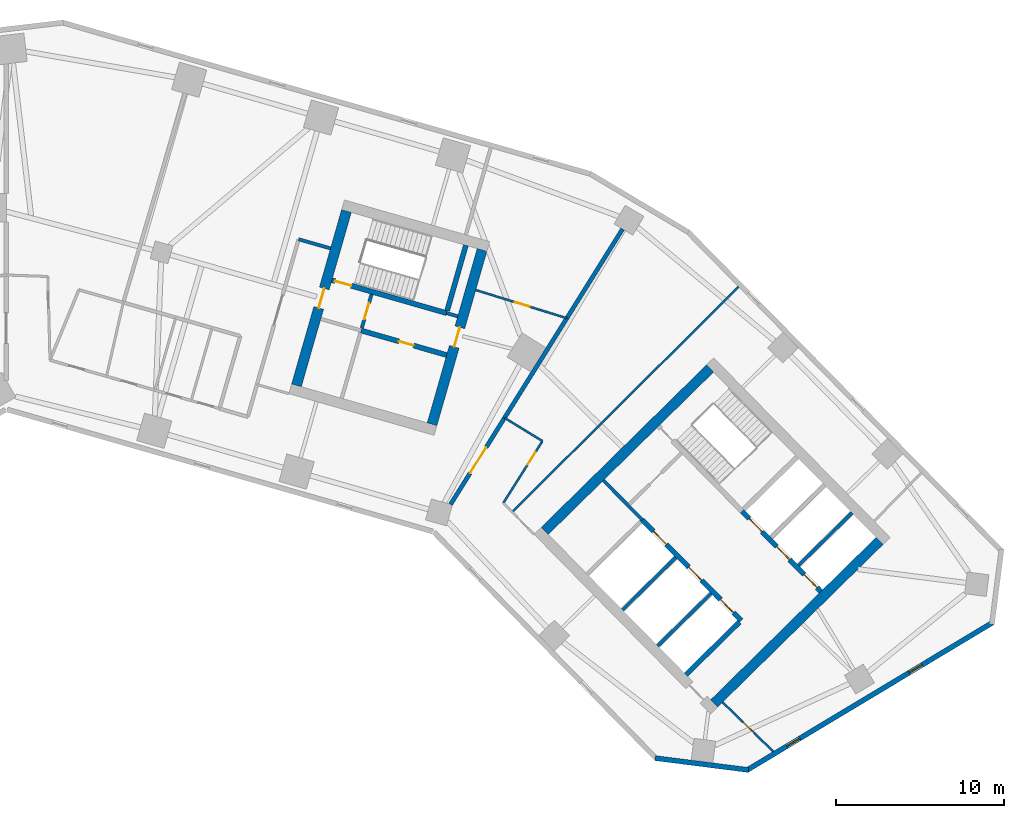
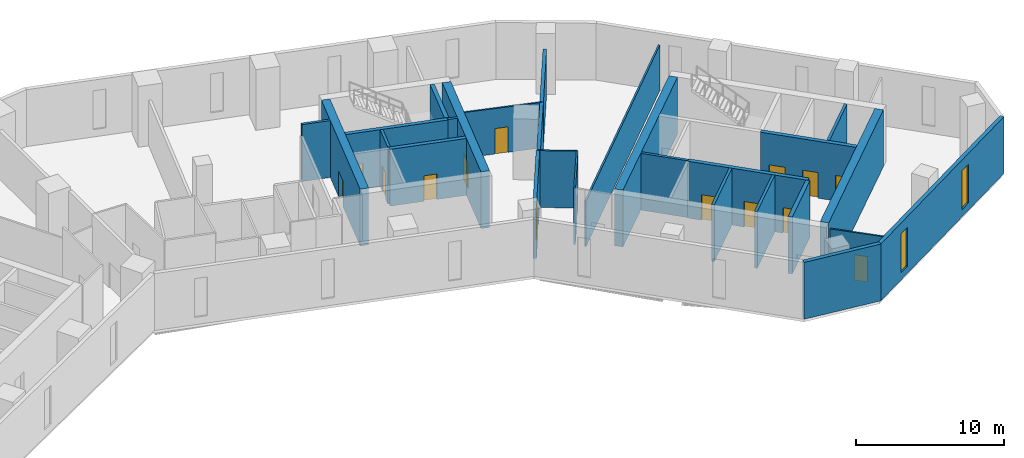
# One storey, part 6 of 10: 27 walls, 15 doors, 2 windows, 17 openings.
"""IFC4 building model written with IfcOpenShell, lengths in metres."""

from ifc_helpers import new_model, si_unit, direction, frame, frame_2d, origin, place, context, subcontext, project, spatial, rectangle, extrude, material, layer, layer_set, type_object, element, fill, save


model = new_model("IFC4")

# Units and contexts
model_context = context("Model", 3, precision=1e-05, world=origin(), true_north=direction((0.0, 1.0)))
body_context = subcontext(model_context, "Body", "Model", "MODEL_VIEW")
ifc_project = project(units=[si_unit("LENGTHUNIT", "METRE"), si_unit("AREAUNIT", "SQUARE_METRE"), si_unit("VOLUMEUNIT", "CUBIC_METRE"), si_unit("PLANEANGLEUNIT", "RADIAN"), si_unit("MASSUNIT", "GRAM", prefix="KILO")], contexts=[model_context])

# Site, building, storey
site_placement = place(None, origin())
site = spatial("IfcSite", under=ifc_project, at=site_placement, CompositionType="ELEMENT")
building_placement = place(site_placement, origin())
building = spatial("IfcBuilding", under=site, at=building_placement, Name="Binnacle Exchange Tower", CompositionType="ELEMENT")
storey_placement = place(building_placement, frame((0.0, 0.0, 81.5)))
storey = spatial("IfcBuildingStorey", under=building, at=storey_placement, Name="L16", CompositionType="ELEMENT", Elevation=81.5)

# Wall, openings, doors
ifc_material_1 = material(Name="Concrete C70/85", Category="concrete")
ifc_layer_1 = layer(ifc_material_1, 0.300048828125)
ifc_layer_set_1 = layer_set([ifc_layer_1], Name="Core wall - front 300")
wall_type_1 = type_object("IfcWallType", Name="Core wall - front 300", PredefinedType="SOLIDWALL", material=ifc_layer_set_1)
wall_1_placement = place(storey_placement, frame((37.8740234375, 41.41552734375, 0.0), z_axis=(0.0, 0.0, 1.0), x_axis=(0.700918271237, -0.71324159795, 0.0)))
wall_1 = element("IfcWall", 1, at=wall_1_placement, inside=storey, type_object=wall_type_1, Name="Core wall CRWB3", PredefinedType="SOLIDWALL", context=body_context, shape_type="SweptSolid", body=[
    extrude(rectangle(XDim=8.39990234375, YDim=0.300048828125, at=frame_2d((4.199951171875, 0.0))), origin(), (0.0, 0.0, 1.0), 4.679931640625),
])
opening_1_placement = place(wall_1_placement, frame((0.949951171875, 0.0, 0.0)))
opening_1 = element("IfcOpeningElement", 2, at=opening_1_placement, cuts=wall_1, Name="Opening LD15", PredefinedType="OPENING", context=body_context, shape_type="SweptSolid", body=[
    extrude(rectangle(XDim=1.10009765625, YDim=2.10009765625, at=frame_2d((0.550048828125, 1.050048828125))), frame((0.0, 0.159912109375, 0.0), z_axis=(0.0, -1.0, 0.0), x_axis=(1.0, 0.0, 0.0)), (0.0, 0.0, 1.0), 0.320068359375),
])
opening_2_placement = place(wall_1_placement, frame((3.949951171875, 0.0, 0.0)))
opening_2 = element("IfcOpeningElement", 3, at=opening_2_placement, cuts=wall_1, Name="Opening LD16", PredefinedType="OPENING", context=body_context, shape_type="SweptSolid", body=[
    extrude(rectangle(XDim=1.10009765625, YDim=2.10009765625, at=frame_2d((0.550048828125, 1.050048828125))), frame((0.0, 0.159912109375, 0.0), z_axis=(0.0, -1.0, 0.0), x_axis=(1.0, 0.0, 0.0)), (0.0, 0.0, 1.0), 0.320068359375),
])
opening_3_placement = place(wall_1_placement, frame((6.64990234375, 0.0, 0.0)))
opening_3 = element("IfcOpeningElement", 4, at=opening_3_placement, cuts=wall_1, Name="Opening LD4", PredefinedType="OPENING", context=body_context, shape_type="SweptSolid", body=[
    extrude(rectangle(XDim=1.10009765625, YDim=2.10009765625, at=frame_2d((0.550048828125, 1.050048828125))), frame((0.0, 0.159912109375, 0.0), z_axis=(0.0, -1.0, 0.0), x_axis=(1.0, 0.0, 0.0)), (0.0, 0.0, 1.0), 0.320068359375),
])
ifc_material_2 = material(Name="Steel door leaf", Category="steel")
door_type_1 = type_object("IfcDoorType", Name="Fire door - lift landing 1100", OperationType="NOTDEFINED", PredefinedType="DOOR", material=ifc_material_2)
door_1_placement = place(opening_1_placement, origin())
door_1 = element("IfcDoor", 5, at=door_1_placement, inside=storey, type_object=door_type_1, Name="Landing door LD15 L16", OperationType="DOUBLE_DOOR_SLIDING", OverallHeight=2.10009765625, OverallWidth=1.10009765625, PredefinedType="DOOR", context=body_context, shape_type="SweptSolid", body=[
    extrude(rectangle(XDim=1.10009765625, YDim=2.10009765625, at=frame_2d((0.550048828125, 1.050048828125))), frame((0.0, 0.02490234375, 0.0), z_axis=(0.0, -1.0, 0.0), x_axis=(1.0, 0.0, 0.0)), (0.0, 0.0, 1.0), 0.050048828125),
])
fill(opening_1, door_1)
door_2_placement = place(opening_2_placement, origin())
door_2 = element("IfcDoor", 6, at=door_2_placement, inside=storey, type_object=door_type_1, Name="Landing door LD16 L16", OperationType="DOUBLE_DOOR_SLIDING", OverallHeight=2.10009765625, OverallWidth=1.10009765625, PredefinedType="DOOR", context=body_context, shape_type="SweptSolid", body=[
    extrude(rectangle(XDim=1.10009765625, YDim=2.10009765625, at=frame_2d((0.550048828125, 1.050048828125))), frame((0.0, 0.02490234375, 0.0), z_axis=(0.0, -1.0, 0.0), x_axis=(1.0, 0.0, 0.0)), (0.0, 0.0, 1.0), 0.050048828125),
])
fill(opening_2, door_2)
door_3_placement = place(opening_3_placement, origin())
door_3 = element("IfcDoor", 7, at=door_3_placement, inside=storey, type_object=door_type_1, Name="Landing door LD4 L16", OperationType="DOUBLE_DOOR_SLIDING", OverallHeight=2.10009765625, OverallWidth=1.10009765625, PredefinedType="DOOR", context=body_context, shape_type="SweptSolid", body=[
    extrude(rectangle(XDim=1.10009765625, YDim=2.10009765625, at=frame_2d((0.550048828125, 1.050048828125))), frame((0.0, 0.02490234375, 0.0), z_axis=(0.0, -1.0, 0.0), x_axis=(1.0, 0.0, 0.0)), (0.0, 0.0, 1.0), 0.050048828125),
])
fill(opening_3, door_3)

wall_2_placement = place(storey_placement, frame((43.818603515625, 41.92919921875, 0.0), z_axis=(0.0, 0.0, 1.0), x_axis=(0.700921619155, -0.713238307862, 0.0)))
wall_2 = element("IfcWall", 8, at=wall_2_placement, inside=storey, type_object=wall_type_1, Name="Core wall CRWB5", PredefinedType="SOLIDWALL", context=body_context, shape_type="SweptSolid", body=[
    extrude(rectangle(XDim=6.69970703125, YDim=0.300048828125, at=frame_2d((3.349853515625, 0.0))), origin(), (0.0, 0.0, 1.0), 4.679931640625),
])
opening_4_placement = place(wall_2_placement, frame((0.614990234375, 0.0, 0.0)))
opening_4 = element("IfcOpeningElement", 9, at=opening_4_placement, cuts=wall_2, Name="Opening LD1", PredefinedType="OPENING", context=body_context, shape_type="SweptSolid", body=[
    extrude(rectangle(XDim=1.10009765625, YDim=2.10009765625, at=frame_2d((0.550048828125, 1.050048828125))), frame((0.0, 0.159912109375, 0.0), z_axis=(0.0, -1.0, 0.0), x_axis=(1.0, 0.0, 0.0)), (0.0, 0.0, 1.0), 0.320068359375),
])
opening_5_placement = place(wall_2_placement, frame((2.945068359375, 0.0, 0.0)))
opening_5 = element("IfcOpeningElement", 10, at=opening_5_placement, cuts=wall_2, Name="Opening LD2", PredefinedType="OPENING", context=body_context, shape_type="SweptSolid", body=[
    extrude(rectangle(XDim=1.10009765625, YDim=2.10009765625, at=frame_2d((0.550048828125, 1.050048828125))), frame((0.0, 0.159912109375, 0.0), z_axis=(0.0, -1.0, 0.0), x_axis=(1.0, 0.0, 0.0)), (0.0, 0.0, 1.0), 0.320068359375),
])
opening_6_placement = place(wall_2_placement, frame((5.280029296875, 0.0, 0.0)))
opening_6 = element("IfcOpeningElement", 11, at=opening_6_placement, cuts=wall_2, Name="Opening LD3", PredefinedType="OPENING", context=body_context, shape_type="SweptSolid", body=[
    extrude(rectangle(XDim=1.10009765625, YDim=2.10009765625, at=frame_2d((0.550048828125, 1.050048828125))), frame((0.0, 0.159912109375, 0.0), z_axis=(0.0, -1.0, 0.0), x_axis=(1.0, 0.0, 0.0)), (0.0, 0.0, 1.0), 0.320068359375),
])
door_4_placement = place(opening_4_placement, origin())
door_4 = element("IfcDoor", 12, at=door_4_placement, inside=storey, type_object=door_type_1, Name="Landing door LD1 L16", OperationType="DOUBLE_DOOR_SLIDING", OverallHeight=2.10009765625, OverallWidth=1.10009765625, PredefinedType="DOOR", context=body_context, shape_type="SweptSolid", body=[
    extrude(rectangle(XDim=1.10009765625, YDim=2.10009765625, at=frame_2d((0.550048828125, 1.050048828125))), frame((0.0, 0.02490234375, 0.0), z_axis=(0.0, -1.0, 0.0), x_axis=(1.0, 0.0, 0.0)), (0.0, 0.0, 1.0), 0.050048828125),
])
fill(opening_4, door_4)
door_5_placement = place(opening_5_placement, origin())
door_5 = element("IfcDoor", 13, at=door_5_placement, inside=storey, type_object=door_type_1, Name="Landing door LD2 L16", OperationType="DOUBLE_DOOR_SLIDING", OverallHeight=2.10009765625, OverallWidth=1.10009765625, PredefinedType="DOOR", context=body_context, shape_type="SweptSolid", body=[
    extrude(rectangle(XDim=1.10009765625, YDim=2.10009765625, at=frame_2d((0.550048828125, 1.050048828125))), frame((0.0, 0.02490234375, 0.0), z_axis=(0.0, -1.0, 0.0), x_axis=(1.0, 0.0, 0.0)), (0.0, 0.0, 1.0), 0.050048828125),
])
fill(opening_5, door_5)
door_6_placement = place(opening_6_placement, origin())
door_6 = element("IfcDoor", 14, at=door_6_placement, inside=storey, type_object=door_type_1, Name="Landing door LD3 L16", OperationType="DOUBLE_DOOR_SLIDING", OverallHeight=2.10009765625, OverallWidth=1.10009765625, PredefinedType="DOOR", context=body_context, shape_type="SweptSolid", body=[
    extrude(rectangle(XDim=1.10009765625, YDim=2.10009765625, at=frame_2d((0.550048828125, 1.050048828125))), frame((0.0, 0.02490234375, 0.0), z_axis=(0.0, -1.0, 0.0), x_axis=(1.0, 0.0, 0.0)), (0.0, 0.0, 1.0), 0.050048828125),
])
fill(opening_6, door_6)

# Wall
wall_3_placement = place(storey_placement, frame((40.480712890625, 32.199951171875, 0.0), z_axis=(0.0, 0.0, 1.0), x_axis=(0.713251741427, 0.700907949271, 0.0)))
element("IfcWall", 15, at=wall_3_placement, inside=storey, type_object=wall_type_1, Name="Core wall CRWB14", PredefinedType="SOLIDWALL", context=body_context, shape_type="SweptSolid", body=[
    extrude(rectangle(XDim=4.4501953125, YDim=0.300048828125, at=frame_2d((2.22509765625, 0.0))), origin(), (0.0, 0.0, 1.0), 4.679931640625),
])

# Wall, opening, door
wall_4_placement = place(storey_placement, frame((21.130859375, 52.6923828125, 0.0), z_axis=(0.0, 0.0, 1.0), x_axis=(0.961271492568, -0.275603188616, 0.0)))
wall_4 = element("IfcWall", 16, at=wall_4_placement, inside=storey, type_object=wall_type_1, Name="Core wall CRWD3", PredefinedType="SOLIDWALL", context=body_context, shape_type="SweptSolid", body=[
    extrude(rectangle(XDim=5.300048828125, YDim=0.300048828125, at=frame_2d((2.64990234375, 0.0))), origin(), (0.0, 0.0, 1.0), 4.679931640625),
])
opening_7_placement = place(wall_4_placement, frame((2.35009765625, 0.0, 0.0)))
opening_7 = element("IfcOpeningElement", 17, at=opening_7_placement, cuts=wall_4, Name="Opening DD10", PredefinedType="OPENING", context=body_context, shape_type="SweptSolid", body=[
    extrude(rectangle(XDim=0.89990234375, YDim=2.10009765625, at=frame_2d((0.449951171875, 1.050048828125))), frame((0.0, 0.159912109375, 0.0), z_axis=(0.0, -1.0, 0.0), x_axis=(1.0, 0.0, 0.0)), (0.0, 0.0, 1.0), 0.320068359375),
])
door_type_2 = type_object("IfcDoorType", Name="Fire door 900", OperationType="NOTDEFINED", PredefinedType="DOOR", material=ifc_material_2)
door_7_placement = place(opening_7_placement, frame((0.89990234375, 0.0, 0.0), z_axis=(0.0, 0.0, 1.0), x_axis=(-1.0, 0.0, 0.0)))
door_7 = element("IfcDoor", 18, at=door_7_placement, inside=storey, type_object=door_type_2, Name="Core room door TELECOM RISER ROOM", OperationType="SINGLE_SWING_LEFT", OverallHeight=2.10009765625, OverallWidth=0.89990234375, PredefinedType="DOOR", context=body_context, shape_type="SweptSolid", body=[
    extrude(rectangle(XDim=0.89990234375, YDim=2.10009765625, at=frame_2d((0.449951171875, 1.050048828125))), frame((0.0, 0.02490234375, 0.0), z_axis=(0.0, -1.0, 0.0), x_axis=(1.0, 0.0, 0.0)), (0.0, 0.0, 1.0), 0.050048828125),
])
fill(opening_7, door_7)

# Walls
ifc_layer_2 = layer(ifc_material_1, 0.60009765625)
ifc_layer_set_2 = layer_set([ifc_layer_2], Name="Core wall - outer 600")
wall_type_2 = type_object("IfcWallType", Name="Core wall - outer 600", PredefinedType="SOLIDWALL", material=ifc_layer_set_2)
for number, where, z_axis, x_axis, name in (
    (19, (32.06982421875, 40.759033203125, 0.0), (0.0, 0.0, 1.0), (0.713245344712, 0.70091445858, 0.0), "Core wall CRWB7"),
    (20, (42.1630859375, 30.48828125, 0.0), (0.0, 0.0, 1.0), (0.713245344712, 0.70091445858, 0.0), "Core wall CRWB16"),
):
    element("IfcWall", number, at=place(storey_placement, frame(where, z_axis=z_axis, x_axis=x_axis)), inside=storey, type_object=wall_type_2, Name=name, PredefinedType="SOLIDWALL", context=body_context, shape_type="SweptSolid", body=[
        extrude(rectangle(XDim=13.800048828125, YDim=0.60009765625, at=frame_2d((6.89990234375, 0.0))), origin(), (0.0, 0.0, 1.0), 4.679931640625),
    ])

# Wall, opening, door
wall_5_placement = place(storey_placement, frame((17.28173828125, 49.427001953125, 0.0), z_axis=(0.0, 0.0, 1.0), x_axis=(0.275631631629, 0.961263337304, 0.0)))
wall_5 = element("IfcWall", 21, at=wall_5_placement, inside=storey, type_object=wall_type_2, Name="Core wall CRWD7", PredefinedType="SOLIDWALL", context=body_context, shape_type="SweptSolid", body=[
    extrude(rectangle(XDim=10.800048828125, YDim=0.60009765625, at=frame_2d((5.39990234375, 0.0))), origin(), (0.0, 0.0, 1.0), 4.679931640625),
])
opening_8_placement = place(wall_5_placement, frame((4.800048828125, 0.0, 0.0)))
opening_8 = element("IfcOpeningElement", 22, at=opening_8_placement, cuts=wall_5, Name="Opening DD5", PredefinedType="OPENING", context=body_context, shape_type="SweptSolid", body=[
    extrude(rectangle(XDim=1.199951171875, YDim=2.10009765625, at=frame_2d((0.60009765625, 1.050048828125))), frame((0.0, 0.31005859375, 0.0), z_axis=(0.0, -1.0, 0.0), x_axis=(1.0, 0.0, 0.0)), (0.0, 0.0, 1.0), 0.6201171875),
])
door_type_3 = type_object("IfcDoorType", Name="Fire door 1200", OperationType="NOTDEFINED", PredefinedType="DOOR", material=ifc_material_2)
door_8_placement = place(opening_8_placement, origin())
door_8 = element("IfcDoor", 23, at=door_8_placement, inside=storey, type_object=door_type_3, Name="Vestibule exit door VEST-W", OperationType="SINGLE_SWING_RIGHT", OverallHeight=2.10009765625, OverallWidth=1.199951171875, PredefinedType="DOOR", context=body_context, shape_type="SweptSolid", body=[
    extrude(rectangle(XDim=1.199951171875, YDim=2.10009765625, at=frame_2d((0.60009765625, 1.050048828125))), frame((0.0, 0.02490234375, 0.0), z_axis=(0.0, -1.0, 0.0), x_axis=(1.0, 0.0, 0.0)), (0.0, 0.0, 1.0), 0.050048828125),
])
fill(opening_8, door_8)

wall_6_placement = place(storey_placement, frame((25.356201171875, 47.111572265625, 0.0), z_axis=(0.0, 0.0, 1.0), x_axis=(0.275631631629, 0.961263337304, 0.0)))
wall_6 = element("IfcWall", 24, at=wall_6_placement, inside=storey, type_object=wall_type_2, Name="Core wall CRWD12", PredefinedType="SOLIDWALL", context=body_context, shape_type="SweptSolid", body=[
    extrude(rectangle(XDim=10.800048828125, YDim=0.60009765625, at=frame_2d((5.39990234375, 0.0))), origin(), (0.0, 0.0, 1.0), 4.679931640625),
])
opening_9_placement = place(wall_6_placement, frame((4.800048828125, 0.0, 0.0)))
opening_9 = element("IfcOpeningElement", 25, at=opening_9_placement, cuts=wall_6, Name="Opening DD6", PredefinedType="OPENING", context=body_context, shape_type="SweptSolid", body=[
    extrude(rectangle(XDim=1.199951171875, YDim=2.10009765625, at=frame_2d((0.60009765625, 1.050048828125))), frame((0.0, 0.31005859375, 0.0), z_axis=(0.0, -1.0, 0.0), x_axis=(1.0, 0.0, 0.0)), (0.0, 0.0, 1.0), 0.6201171875),
])
door_9_placement = place(opening_9_placement, frame((1.199951171875, 0.0, 0.0), z_axis=(0.0, 0.0, 1.0), x_axis=(-1.0, 0.0, 0.0)))
door_9 = element("IfcDoor", 26, at=door_9_placement, inside=storey, type_object=door_type_3, Name="Core passage exit door", OperationType="SINGLE_SWING_LEFT", OverallHeight=2.10009765625, OverallWidth=1.199951171875, PredefinedType="DOOR", context=body_context, shape_type="SweptSolid", body=[
    extrude(rectangle(XDim=1.199951171875, YDim=2.10009765625, at=frame_2d((0.60009765625, 1.050048828125))), frame((0.0, 0.02490234375, 0.0), z_axis=(0.0, -1.0, 0.0), x_axis=(1.0, 0.0, 0.0)), (0.0, 0.0, 1.0), 0.050048828125),
])
fill(opening_9, door_9)

ifc_layer_3 = layer(ifc_material_1, 0.300048828125)
ifc_layer_set_3 = layer_set([ifc_layer_3], Name="Core wall - stair 300")
wall_type_3 = type_object("IfcWallType", Name="Core wall - stair 300", PredefinedType="SOLIDWALL", material=ifc_layer_set_3)
wall_7_placement = place(storey_placement, frame((19.38916015625, 55.688720703125, 0.0), z_axis=(0.0, 0.0, 1.0), x_axis=(0.961261397636, -0.275638396117, 0.0)))
wall_7 = element("IfcWall", 27, at=wall_7_placement, inside=storey, type_object=wall_type_3, Name="Core wall CRWD4", PredefinedType="SOLIDWALL", context=body_context, shape_type="SweptSolid", body=[
    extrude(rectangle(XDim=7.10009765625, YDim=0.300048828125, at=frame_2d((3.550048828125, 0.0))), origin(), (0.0, 0.0, 1.0), 4.679931640625),
])
opening_10_placement = place(wall_7_placement, frame((0.199951171875, 0.0, 0.0)))
opening_10 = element("IfcOpeningElement", 28, at=opening_10_placement, cuts=wall_7, Name="Opening DD1", PredefinedType="OPENING", context=body_context, shape_type="SweptSolid", body=[
    extrude(rectangle(XDim=1.0, YDim=2.10009765625, at=frame_2d((0.5, 1.050048828125))), frame((0.0, 0.159912109375, 0.0), z_axis=(0.0, -1.0, 0.0), x_axis=(1.0, 0.0, 0.0)), (0.0, 0.0, 1.0), 0.320068359375),
])
door_type_4 = type_object("IfcDoorType", Name="Fire door 1000", OperationType="NOTDEFINED", PredefinedType="DOOR", material=ifc_material_2)
door_10_placement = place(opening_10_placement, origin())
door_10 = element("IfcDoor", 29, at=door_10_placement, inside=storey, type_object=door_type_4, Name="Stair door ST-D1", OperationType="SINGLE_SWING_LEFT", OverallHeight=2.10009765625, OverallWidth=1.0, PredefinedType="DOOR", context=body_context, shape_type="SweptSolid", body=[
    extrude(rectangle(XDim=1.0, YDim=2.10009765625, at=frame_2d((0.5, 1.050048828125))), frame((0.0, 0.02490234375, 0.0), z_axis=(0.0, -1.0, 0.0), x_axis=(1.0, 0.0, 0.0)), (0.0, 0.0, 1.0), 0.050048828125),
])
fill(opening_10, door_10)

# Walls
wall_8_placement = place(storey_placement, frame((26.255615234375, 53.875732421875, 0.0), z_axis=(0.0, 0.0, 1.0), x_axis=(0.275612739511, 0.961268754209, 0.0)))
element("IfcWall", 30, at=wall_8_placement, inside=storey, type_object=wall_type_3, Name="Core wall CRWD11", PredefinedType="SOLIDWALL", context=body_context, shape_type="SweptSolid", body=[
    extrude(rectangle(XDim=4.0498046875, YDim=0.300048828125, at=frame_2d((2.02490234375, 0.0))), origin(), (0.0, 0.0, 1.0), 4.679931640625),
])
ifc_material_3 = material(Name="Bronze aluminium cladding", Category="aluminium")
ifc_layer_4 = layer(ifc_material_3, 0.300048828125)
ifc_layer_set_4 = layer_set([ifc_layer_4], Name="External wall - spandrel 300")
wall_type_4 = type_object("IfcWallType", Name="External wall - spandrel 300", PredefinedType="STANDARD", material=ifc_layer_set_4)
wall_9_placement = place(storey_placement, frame((44.19580078125, 26.517822265625, 0.0), z_axis=(0.0, 0.0, 1.0), x_axis=(-0.992001881269, 0.126223086474, 0.0)))
element("IfcWall", 31, at=wall_9_placement, inside=storey, type_object=wall_type_4, Name="External wall EW-F10 L16", PredefinedType="STANDARD", context=body_context, shape_type="SweptSolid", body=[
    extrude(rectangle(XDim=5.6015625, YDim=0.300048828125, at=frame_2d((2.80078125, 0.0))), origin(), (0.0, 0.0, 1.0), 4.679931640625),
])

# Wall, openings, windows
wall_10_placement = place(storey_placement, frame((58.7783203125, 35.317626953125, 0.0), z_axis=(0.0, 0.0, 1.0), x_axis=(-0.857168206138, -0.515036568009, 0.0)))
wall_10 = element("IfcWall", 32, at=wall_10_placement, inside=storey, type_object=wall_type_4, Name="External wall EW-F11 L16", PredefinedType="STANDARD", context=body_context, shape_type="SweptSolid", body=[
    extrude(rectangle(XDim=17.124755859375, YDim=0.300048828125, at=frame_2d((8.5625, 0.0))), origin(), (0.0, 0.0, 1.0), 4.679931640625),
])
opening_11_placement = place(wall_10_placement, frame((13.435302734375, 0.0, 0.60009765625)))
opening_11 = element("IfcOpeningElement", 33, at=opening_11_placement, cuts=wall_10, Name="Opening WS1", PredefinedType="OPENING", context=body_context, shape_type="SweptSolid", body=[
    extrude(rectangle(XDim=0.89990234375, YDim=3.199951171875, at=frame_2d((0.449951171875, 1.60009765625))), frame((0.0, 0.159912109375, 0.0), z_axis=(0.0, -1.0, 0.0), x_axis=(1.0, 0.0, 0.0)), (0.0, 0.0, 1.0), 0.320068359375),
])
opening_12_placement = place(wall_10_placement, frame((4.935302734375, 0.0, 0.60009765625)))
opening_12 = element("IfcOpeningElement", 34, at=opening_12_placement, cuts=wall_10, Name="Opening WS1", PredefinedType="OPENING", context=body_context, shape_type="SweptSolid", body=[
    extrude(rectangle(XDim=0.89990234375, YDim=3.199951171875, at=frame_2d((0.449951171875, 1.60009765625))), frame((0.0, 0.159912109375, 0.0), z_axis=(0.0, -1.0, 0.0), x_axis=(1.0, 0.0, 0.0)), (0.0, 0.0, 1.0), 0.320068359375),
])
ifc_material_4 = material(Name="Bronze anodised aluminium frame", Category="aluminium")
window_type = type_object("IfcWindowType", Name="WS1 WINDOW 900x3200", PartitioningType="SINGLE_PANEL", PredefinedType="WINDOW", material=ifc_material_4)
window_1_placement = place(opening_11_placement, origin())
window_1 = element("IfcWindow", 35, at=window_1_placement, inside=storey, type_object=window_type, Name="Window WS1 L16", OverallHeight=3.199951171875, OverallWidth=0.89990234375, PartitioningType="SINGLE_PANEL", PredefinedType="WINDOW", context=body_context, shape_type="SweptSolid", body=[
    extrude(rectangle(XDim=0.89990234375, YDim=3.199951171875, at=frame_2d((0.449951171875, 1.60009765625))), frame((0.0, 0.030029296875, 0.0), z_axis=(0.0, -1.0, 0.0), x_axis=(1.0, 0.0, 0.0)), (0.0, 0.0, 1.0), 0.06005859375),
])
fill(opening_11, window_1)
window_2_placement = place(opening_12_placement, origin())
window_2 = element("IfcWindow", 36, at=window_2_placement, inside=storey, type_object=window_type, Name="Window WS1 L16", OverallHeight=3.199951171875, OverallWidth=0.89990234375, PartitioningType="SINGLE_PANEL", PredefinedType="WINDOW", context=body_context, shape_type="SweptSolid", body=[
    extrude(rectangle(XDim=0.89990234375, YDim=3.199951171875, at=frame_2d((0.449951171875, 1.60009765625))), frame((0.0, 0.030029296875, 0.0), z_axis=(0.0, -1.0, 0.0), x_axis=(1.0, 0.0, 0.0)), (0.0, 0.0, 1.0), 0.06005859375),
])
fill(opening_12, window_2)

# Wall
ifc_material_5 = material(Name="Masonry block wall", Category="masonry")
ifc_layer_5 = layer(ifc_material_5, 0.199951171875)
ifc_layer_set_5 = layer_set([ifc_layer_5], Name="Fire wall - block 200")
wall_type_5 = type_object("IfcWallType", Name="Fire wall - block 200", PredefinedType="PARTITIONING", material=ifc_layer_set_5)
wall_11_placement = place(storey_placement, frame((17.408935546875, 58.12890625, 0.0), z_axis=(0.0, 0.0, 1.0), x_axis=(0.961253165474, -0.275667103345, 0.0)))
element("IfcWall", 37, at=wall_11_placement, inside=storey, type_object=wall_type_5, Name="Partition W33", PredefinedType="PARTITIONING", context=body_context, shape_type="SweptSolid", body=[
    extrude(rectangle(XDim=1.976806640625, YDim=0.199951171875, at=frame_2d((0.98828125, 0.0))), origin(), (0.0, 0.0, 1.0), 4.679931640625),
])

# Wall, opening, door
ifc_material_6 = material(Name="Concrete fire wall C30/37", Category="concrete")
ifc_layer_6 = layer(ifc_material_6, 0.25)
ifc_layer_set_6 = layer_set([ifc_layer_6], Name="Fire wall - compartment 250")
wall_type_6 = type_object("IfcWallType", Name="Fire wall - compartment 250", PredefinedType="PARTITIONING", material=ifc_layer_set_6)
wall_12_placement = place(storey_placement, frame((26.4560546875, 42.337890625, 0.0), z_axis=(0.0, 0.0, 1.0), x_axis=(0.52980027265, 0.848122438743, 0.0)))
wall_12 = element("IfcWall", 38, at=wall_12_placement, inside=storey, type_object=wall_type_6, Name="Fire Wall W34", PredefinedType="PARTITIONING", context=body_context, shape_type="SweptSolid", body=[
    extrude(rectangle(XDim=6.075927734375, YDim=0.25, at=frame_2d((3.0380859375, 0.0))), origin(), (0.0, 0.0, 1.0), 4.679931640625),
])
opening_13_placement = place(wall_12_placement, frame((2.199951171875, 0.0, 0.0)))
opening_13 = element("IfcOpeningElement", 39, at=opening_13_placement, cuts=wall_12, Name="Opening DL16-16", PredefinedType="OPENING", context=body_context, shape_type="SweptSolid", body=[
    extrude(rectangle(XDim=1.800048828125, YDim=2.10009765625, at=frame_2d((0.89990234375, 1.050048828125))), frame((0.0, 0.135009765625, 0.0), z_axis=(0.0, -1.0, 0.0), x_axis=(1.0, 0.0, 0.0)), (0.0, 0.0, 1.0), 0.27001953125),
])
door_type_5 = type_object("IfcDoorType", Name="Fire door 1800", OperationType="NOTDEFINED", PredefinedType="DOOR", material=ifc_material_2)
door_11_placement = place(opening_13_placement, origin())
door_11 = element("IfcDoor", 40, at=door_11_placement, inside=storey, type_object=door_type_5, Name="Door DL16-16", OperationType="DOUBLE_DOOR_SINGLE_SWING", OverallHeight=2.10009765625, OverallWidth=1.800048828125, PredefinedType="DOOR", context=body_context, shape_type="SweptSolid", body=[
    extrude(rectangle(XDim=1.800048828125, YDim=2.10009765625, at=frame_2d((0.89990234375, 1.050048828125))), frame((0.0, 0.02490234375, 0.0), z_axis=(0.0, -1.0, 0.0), x_axis=(1.0, 0.0, 0.0)), (0.0, 0.0, 1.0), 0.050048828125),
])
fill(opening_13, door_11)

# Walls
wall_13_placement = place(storey_placement, frame((29.675048828125, 47.490966796875, 0.0), z_axis=(0.0, 0.0, 1.0), x_axis=(0.529992669945, 0.848002222759, 0.0)))
element("IfcWall", 41, at=wall_13_placement, inside=storey, type_object=wall_type_6, Name="Fire Wall W40", PredefinedType="PARTITIONING", context=body_context, shape_type="SweptSolid", body=[
    extrude(rectangle(XDim=7.0, YDim=0.25, at=frame_2d((3.5, 0.0))), origin(), (0.0, 0.0, 1.0), 3.741943359375),
])
wall_14_placement = place(storey_placement, frame((33.385009765625, 53.427001953125, 0.0), z_axis=(0.0, 0.0, 1.0), x_axis=(0.529897235032, 0.848061861131, 0.0)))
element("IfcWall", 42, at=wall_14_placement, inside=storey, type_object=wall_type_6, Name="Fire Wall W43", PredefinedType="PARTITIONING", context=body_context, shape_type="SweptSolid", body=[
    extrude(rectangle(XDim=6.257568359375, YDim=0.25, at=frame_2d((3.12890625, 0.0))), origin(), (0.0, 0.0, 1.0), 3.741943359375),
])

# Wall, opening, door
ifc_layer_7 = layer(ifc_material_5, 0.199951171875)
ifc_layer_set_7 = layer_set([ifc_layer_7], Name="Fire wall - vestibule 200")
wall_type_7 = type_object("IfcWallType", Name="Fire wall - vestibule 200", PredefinedType="PARTITIONING", material=ifc_layer_set_7)
wall_15_placement = place(storey_placement, frame((21.172119140625, 52.836669921875, 0.0), z_axis=(0.0, 0.0, 1.0), x_axis=(0.275657676022, 0.961255868981, 0.0)))
wall_15 = element("IfcWall", 43, at=wall_15_placement, inside=storey, type_object=wall_type_7, Name="Core wall CRWD9", PredefinedType="PARTITIONING", context=body_context, shape_type="SweptSolid", body=[
    extrude(rectangle(XDim=2.099853515625, YDim=0.199951171875, at=frame_2d((1.0498046875, 0.0))), origin(), (0.0, 0.0, 1.0), 4.679931640625),
])
opening_14_placement = place(wall_15_placement, frame((0.550048828125, 0.0, 0.0)))
opening_14 = element("IfcOpeningElement", 44, at=opening_14_placement, cuts=wall_15, Name="Opening DD3", PredefinedType="OPENING", context=body_context, shape_type="SweptSolid", body=[
    extrude(rectangle(XDim=1.0, YDim=2.10009765625, at=frame_2d((0.5, 1.050048828125))), frame((0.0, 0.10986328125, 0.0), z_axis=(0.0, -1.0, 0.0), x_axis=(1.0, 0.0, 0.0)), (0.0, 0.0, 1.0), 0.219970703125),
])
door_12_placement = place(opening_14_placement, origin())
door_12 = element("IfcDoor", 45, at=door_12_placement, inside=storey, type_object=door_type_4, Name="Vestibule door VEST-W", OperationType="SINGLE_SWING_RIGHT", OverallHeight=2.10009765625, OverallWidth=1.0, PredefinedType="DOOR", context=body_context, shape_type="SweptSolid", body=[
    extrude(rectangle(XDim=1.0, YDim=2.10009765625, at=frame_2d((0.5, 1.050048828125))), frame((0.0, 0.02490234375, 0.0), z_axis=(0.0, -1.0, 0.0), x_axis=(1.0, 0.0, 0.0)), (0.0, 0.0, 1.0), 0.050048828125),
])
fill(opening_14, door_12)

ifc_material_7 = material(Name="Gypsum partition")
ifc_layer_8 = layer(ifc_material_7, 0.125)
ifc_layer_set_8 = layer_set([ifc_layer_8], Name="Partition 125")
wall_type_8 = type_object("IfcWallType", Name="Partition 125", PredefinedType="PARTITIONING", material=ifc_layer_set_8)
wall_16_placement = place(storey_placement, frame((27.9599609375, 55.10302734375, 0.0), z_axis=(0.0, 0.0, 1.0), x_axis=(0.955442775069, -0.29517639399, 0.0)))
wall_16 = element("IfcWall", 46, at=wall_16_placement, inside=storey, type_object=wall_type_8, Name="Partition W36", PredefinedType="PARTITIONING", context=body_context, shape_type="SweptSolid", body=[
    extrude(rectangle(XDim=5.677978515625, YDim=0.125, at=frame_2d((2.8388671875, 0.0))), origin(), (0.0, 0.0, 1.0), 3.748046875),
])
opening_15_placement = place(wall_16_placement, frame((2.449951171875, 0.0, 0.0)))
opening_15 = element("IfcOpeningElement", 47, at=opening_15_placement, cuts=wall_16, Name="Opening DL16-11", PredefinedType="OPENING", context=body_context, shape_type="SweptSolid", body=[
    extrude(rectangle(XDim=0.89990234375, YDim=2.10009765625, at=frame_2d((0.449951171875, 1.050048828125))), frame((0.0, 0.072509765625, 0.0), z_axis=(0.0, -1.0, 0.0), x_axis=(1.0, 0.0, 0.0)), (0.0, 0.0, 1.0), 0.14501953125),
])
ifc_material_8 = material(Name="Timber door leaf", Category="wood")
door_type_6 = type_object("IfcDoorType", Name="Door 900", OperationType="NOTDEFINED", PredefinedType="DOOR", material=ifc_material_8)
door_13_placement = place(opening_15_placement, origin())
door_13 = element("IfcDoor", 48, at=door_13_placement, inside=storey, type_object=door_type_6, Name="Door DL16-11", OperationType="SINGLE_SWING_RIGHT", OverallHeight=2.10009765625, OverallWidth=0.89990234375, PredefinedType="DOOR", context=body_context, shape_type="SweptSolid", body=[
    extrude(rectangle(XDim=0.89990234375, YDim=2.10009765625, at=frame_2d((0.449951171875, 1.050048828125))), frame((0.0, 0.02490234375, 0.0), z_axis=(0.0, -1.0, 0.0), x_axis=(1.0, 0.0, 0.0)), (0.0, 0.0, 1.0), 0.050048828125),
])
fill(opening_15, door_13)

wall_17_placement = place(storey_placement, frame((29.60009765625, 42.416015625, 0.0), z_axis=(0.0, 0.0, 1.0), x_axis=(0.533582711531, 0.84574788794, 0.0)))
wall_17 = element("IfcWall", 49, at=wall_17_placement, inside=storey, type_object=wall_type_8, Name="Partition W38", PredefinedType="PARTITIONING", context=body_context, shape_type="SweptSolid", body=[
    extrude(rectangle(XDim=4.366455078125, YDim=0.125, at=frame_2d((2.18310546875, 0.0))), origin(), (0.0, 0.0, 1.0), 4.679931640625),
])
opening_16_placement = place(wall_17_placement, frame((2.699951171875, 0.0, 0.0)))
opening_16 = element("IfcOpeningElement", 50, at=opening_16_placement, cuts=wall_17, Name="Opening DL16-12", PredefinedType="OPENING", context=body_context, shape_type="SweptSolid", body=[
    extrude(rectangle(XDim=0.89990234375, YDim=2.10009765625, at=frame_2d((0.449951171875, 1.050048828125))), frame((0.0, 0.072509765625, 0.0), z_axis=(0.0, -1.0, 0.0), x_axis=(1.0, 0.0, 0.0)), (0.0, 0.0, 1.0), 0.14501953125),
])
door_14_placement = place(opening_16_placement, frame((0.89990234375, 0.0, 0.0), z_axis=(0.0, 0.0, 1.0), x_axis=(-1.0, 0.0, 0.0)))
door_14 = element("IfcDoor", 51, at=door_14_placement, inside=storey, type_object=door_type_6, Name="Door DL16-12", OperationType="SINGLE_SWING_LEFT", OverallHeight=2.10009765625, OverallWidth=0.89990234375, PredefinedType="DOOR", context=body_context, shape_type="SweptSolid", body=[
    extrude(rectangle(XDim=0.89990234375, YDim=2.10009765625, at=frame_2d((0.449951171875, 1.050048828125))), frame((0.0, 0.02490234375, 0.0), z_axis=(0.0, -1.0, 0.0), x_axis=(1.0, 0.0, 0.0)), (0.0, 0.0, 1.0), 0.050048828125),
])
fill(opening_16, door_14)

# Walls
wall_18_placement = place(storey_placement, frame((29.675048828125, 47.490966796875, 0.0), z_axis=(0.0, 0.0, 1.0), x_axis=(0.852591965232, -0.522577210392, 0.0)))
element("IfcWall", 52, at=wall_18_placement, inside=storey, type_object=wall_type_8, Name="Partition W39", PredefinedType="PARTITIONING", context=body_context, shape_type="SweptSolid", body=[
    extrude(rectangle(XDim=2.644775390625, YDim=0.125, at=frame_2d((1.322265625, 0.0))), origin(), (0.0, 0.0, 1.0), 4.679931640625),
])
wall_19_placement = place(storey_placement, frame((30.1259765625, 41.882080078125, 0.0), z_axis=(0.0, 0.0, 1.0), x_axis=(0.709029789155, 0.705178529233, 0.0)))
element("IfcWall", 53, at=wall_19_placement, inside=storey, type_object=wall_type_8, Name="Partition W42", PredefinedType="PARTITIONING", context=body_context, shape_type="SweptSolid", body=[
    extrude(rectangle(XDim=19.017822265625, YDim=0.125, at=frame_2d((9.5087890625, 0.0))), origin(), (0.0, 0.0, 1.0), 3.741943359375),
])

# Wall, opening, door
wall_20_placement = place(storey_placement, frame((42.658935546875, 30.554931640625, 0.0), z_axis=(0.0, 0.0, 1.0), x_axis=(0.716925671772, -0.697149611743, 0.0)))
wall_20 = element("IfcWall", 54, at=wall_20_placement, inside=storey, type_object=wall_type_8, Name="Partition W44", PredefinedType="PARTITIONING", context=body_context, shape_type="SweptSolid", body=[
    extrude(rectangle(XDim=4.209716796875, YDim=0.125, at=frame_2d((2.10498046875, 0.0))), origin(), (0.0, 0.0, 1.0), 3.951904296875),
])
opening_17_placement = place(wall_20_placement, frame((1.699951171875, 0.0, 0.0)))
opening_17 = element("IfcOpeningElement", 55, at=opening_17_placement, cuts=wall_20, Name="Opening DL16-14", PredefinedType="OPENING", context=body_context, shape_type="SweptSolid", body=[
    extrude(rectangle(XDim=0.89990234375, YDim=2.10009765625, at=frame_2d((0.449951171875, 1.050048828125))), frame((0.0, 0.072509765625, 0.0), z_axis=(0.0, -1.0, 0.0), x_axis=(1.0, 0.0, 0.0)), (0.0, 0.0, 1.0), 0.14501953125),
])
door_15_placement = place(opening_17_placement, origin())
door_15 = element("IfcDoor", 56, at=door_15_placement, inside=storey, type_object=door_type_6, Name="Door DL16-14", OperationType="SINGLE_SWING_RIGHT", OverallHeight=2.10009765625, OverallWidth=0.89990234375, PredefinedType="DOOR", context=body_context, shape_type="SweptSolid", body=[
    extrude(rectangle(XDim=0.89990234375, YDim=2.10009765625, at=frame_2d((0.449951171875, 1.050048828125))), frame((0.0, 0.02490234375, 0.0), z_axis=(0.0, -1.0, 0.0), x_axis=(1.0, 0.0, 0.0)), (0.0, 0.0, 1.0), 0.050048828125),
])
fill(opening_17, door_15)

# Walls
ifc_layer_9 = layer(ifc_material_5, 0.199951171875)
ifc_layer_set_9 = layer_set([ifc_layer_9], Name="Riser wall 200")
wall_type_9 = type_object("IfcWallType", Name="Riser wall 200", PredefinedType="SOLIDWALL", material=ifc_layer_set_9)
wall_21_placement = place(storey_placement, frame((35.56103515625, 43.769287109375, 0.0), z_axis=(0.0, 0.0, 1.0), x_axis=(0.70090232736, -0.713257266, 0.0)))
element("IfcWall", 57, at=wall_21_placement, inside=storey, type_object=wall_type_9, Name="Core wall CRWB2", PredefinedType="SOLIDWALL", context=body_context, shape_type="SweptSolid", body=[
    extrude(rectangle(XDim=3.300048828125, YDim=0.199951171875, at=frame_2d((1.64990234375, 0.0))), origin(), (0.0, 0.0, 1.0), 4.679931640625),
])
wall_22_placement = place(storey_placement, frame((26.214111328125, 53.731689453125, 0.0), z_axis=(0.0, 0.0, 1.0), x_axis=(0.96122076476, -0.27578005982, 0.0)))
element("IfcWall", 58, at=wall_22_placement, inside=storey, type_object=wall_type_9, Name="Core wall CRWD5", PredefinedType="SOLIDWALL", context=body_context, shape_type="SweptSolid", body=[
    extrude(rectangle(XDim=0.7001953125, YDim=0.199951171875, at=frame_2d((0.35009765625, 0.0))), origin(), (0.0, 0.0, 1.0), 4.679931640625),
])
ifc_layer_10 = layer(ifc_material_5, 0.199951171875)
ifc_layer_set_10 = layer_set([ifc_layer_10], Name="Shaft wall 200")
wall_type_10 = type_object("IfcWallType", Name="Shaft wall 200", PredefinedType="SOLIDWALL", material=ifc_layer_set_10)
for number, where, z_axis, x_axis, name in (
    (59, (36.69580078125, 36.051513671875, 0.0), (0.0, 0.0, 1.0), (0.713251741427, 0.700907949271, 0.0), "Core wall CRWB10"),
    (60, (38.798583984375, 33.911865234375, 0.0), (0.0, 0.0, 1.0), (0.713251741427, 0.700907949271, 0.0), "Core wall CRWB12"),
    (61, (47.191650390625, 38.710693359375, 0.0), (0.0, 0.0, 1.0), (0.713251741427, 0.700907949271, 0.0), "Core wall CRWB15"),
):
    element("IfcWall", number, at=place(storey_placement, frame(where, z_axis=z_axis, x_axis=x_axis)), inside=storey, type_object=wall_type_10, Name=name, PredefinedType="SOLIDWALL", context=body_context, shape_type="SweptSolid", body=[
        extrude(rectangle(XDim=4.4501953125, YDim=0.199951171875, at=frame_2d((2.22509765625, 0.0))), origin(), (0.0, 0.0, 1.0), 4.679931640625),
    ])

save(model, "model.ifc")
